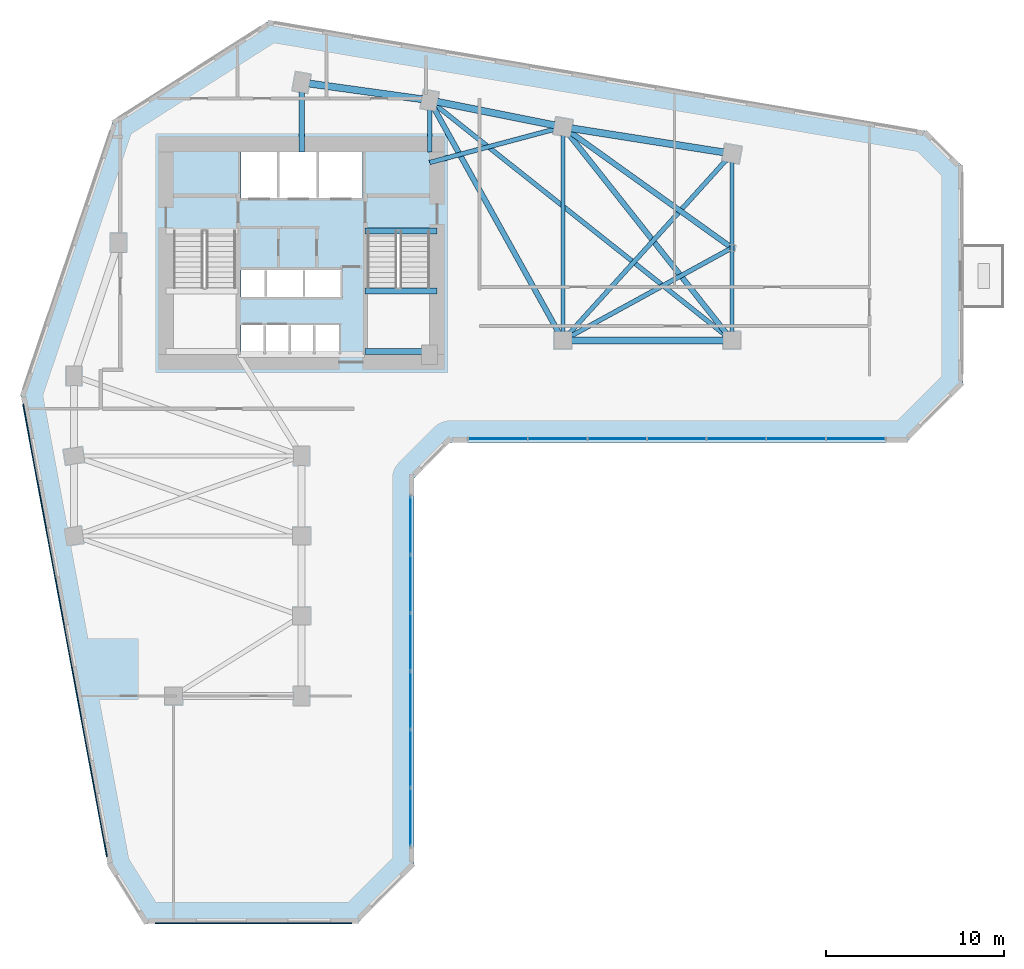
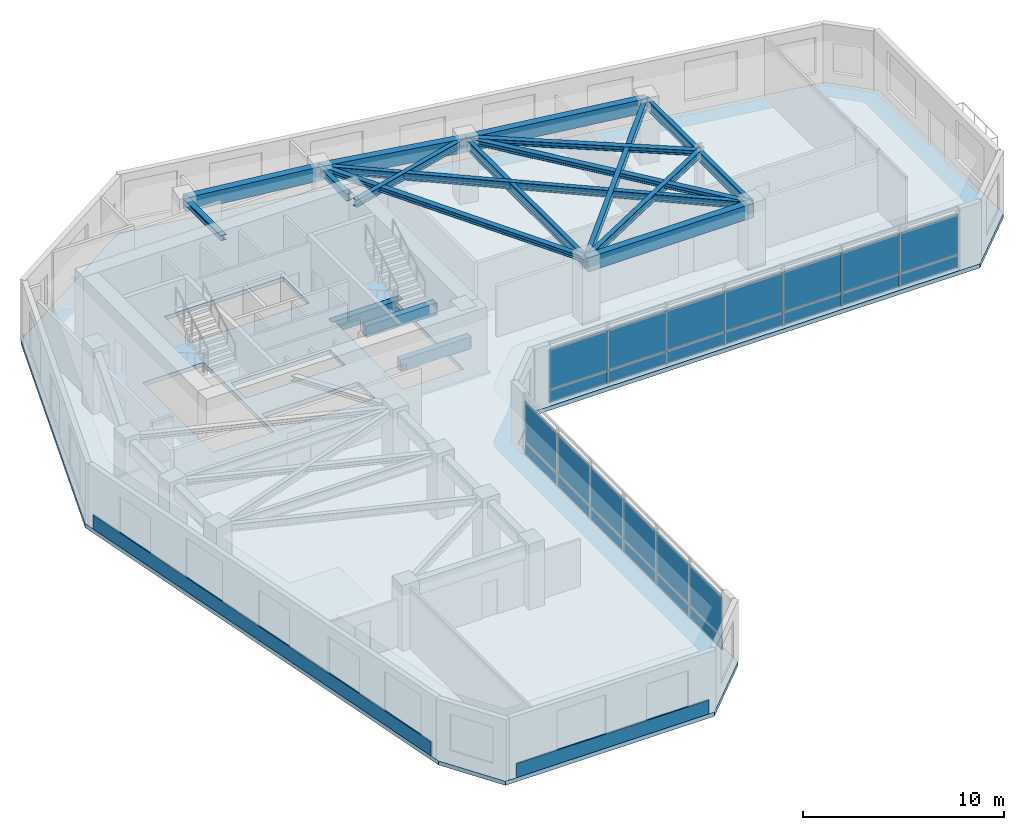
# One storey, part 4 of 11: 28 plates, 18 beams, 1 slab, 2 elements without a shape of their own.
"""IFC4 building model written with IfcOpenShell, lengths in metres."""

import ifcopenshell
import ifcopenshell.guid

model = None  # the IFC model being written
_history = None  # IfcOwnerHistory: only IFC2X3 demands one
_inside = {}  # id of a spatial element -> (the spatial element, [elements in it])
_under = {}  # id of a project, library or spatial element -> (it, [spatial elements below it])
_declared = {}  # id of a project -> (the project, [libraries it declares])
_typed = {}  # id of a type object -> (the type object, [elements of that type])
_made_of = {}  # id of a material, layer set ... -> (it, [elements and type objects made of it])


def new_model(schema):
    """Start an empty IFC model of exactly this schema.

    Asked for "IFC4X3", IfcOpenShell would pick the latest addendum, in which some entities
    have other attributes; the version numbers below select the first issue.
    IFC2X3 requires an IfcOwnerHistory on every rooted entity: one is made here for all.
    """
    global model, _history
    if schema == "IFC4X3":
        model = ifcopenshell.file(schema_version=(4, 3, 0, 0))
    else:
        model = ifcopenshell.file(schema=schema)
    _inside.clear()
    _under.clear()
    _declared.clear()
    _typed.clear()
    _made_of.clear()
    _history = None
    if model.schema == "IFC2X3":
        org = make("IfcOrganization", Name="unknown")
        user = make(
            "IfcPersonAndOrganization",
            ThePerson=make("IfcPerson", FamilyName="unknown"),
            TheOrganization=org,
        )
        app = make(
            "IfcApplication",
            ApplicationDeveloper=org,
            Version="unknown",
            ApplicationFullName="unknown",
            ApplicationIdentifier="unknown",
        )
        _history = make(
            "IfcOwnerHistory",
            OwningUser=user,
            OwningApplication=app,
            ChangeAction="ADDED",
            CreationDate=0,
        )
    return model


def make(cls, **values):
    """One entity of the class cls with the attributes given. An attribute that is None is left unset."""
    return model.create_entity(
        cls, **{name: value for name, value in values.items() if value is not None}
    )


def rooted(cls, **values):
    """An entity with a GlobalId (a new one), such as an element, a storey or a relation."""
    return make(cls, GlobalId=ifcopenshell.guid.new(), OwnerHistory=_history, **values)


def si_unit(unit_type, name, prefix=None):
    """IfcSIUnit, for example si_unit("LENGTHUNIT", "METRE", prefix="MILLI")."""
    return make("IfcSIUnit", UnitType=unit_type, Prefix=prefix, Name=name)


def assignment(units):
    """IfcUnitAssignment: the units of a project."""
    return None if units is None else make("IfcUnitAssignment", Units=units)


def point(xyz):
    """IfcCartesianPoint."""
    return None if xyz is None else make("IfcCartesianPoint", Coordinates=xyz)


def direction(xyz):
    """IfcDirection."""
    return None if xyz is None else make("IfcDirection", DirectionRatios=xyz)


def frame(location, z_axis=None, x_axis=None):
    """IfcAxis2Placement3D, a coordinate frame: its origin and axes. An axis left out is left unset."""
    return make(
        "IfcAxis2Placement3D",
        Location=point(location),
        Axis=direction(z_axis),
        RefDirection=direction(x_axis),
    )


def frame_2d(location, x_axis=None):
    """IfcAxis2Placement2D, a coordinate frame in the plane: its origin and x axis."""
    return make(
        "IfcAxis2Placement2D", Location=point(location), RefDirection=direction(x_axis)
    )


def origin():
    """The frame at (0, 0, 0) with its axes left unset."""
    return frame((0.0, 0.0, 0.0))


def origin_2d():
    """The frame at (0, 0) in the plane with its x axis left unset."""
    return frame_2d((0.0, 0.0))


def place(relative_to, where):
    """IfcLocalPlacement: puts the frame where relative to a parent placement (None: the world)."""
    return make(
        "IfcLocalPlacement", PlacementRelTo=relative_to, RelativePlacement=where
    )


def context(
    kind, dimensions, precision=None, world=None, true_north=None, identifier=None
):
    """IfcGeometricRepresentationContext, for example the 3D "Model" context."""
    return make(
        "IfcGeometricRepresentationContext",
        ContextIdentifier=identifier,
        ContextType=kind,
        CoordinateSpaceDimension=dimensions,
        Precision=precision,
        WorldCoordinateSystem=world,
        TrueNorth=true_north,
    )


def subcontext(parent, identifier, kind, view, scale=None):
    """IfcGeometricRepresentationSubContext, for example "Body" below "Model"."""
    return make(
        "IfcGeometricRepresentationSubContext",
        ContextIdentifier=identifier,
        ContextType=kind,
        ParentContext=parent,
        TargetScale=scale,
        TargetView=view,
    )


def project(units=None, contexts=None):
    """IfcProject with its units and contexts."""
    return rooted(
        "IfcProject",
        Name="project",
        RepresentationContexts=contexts,
        UnitsInContext=assignment(units),
    )


def spatial(cls, under=None, at=None, **own):
    """A site, building, storey or space (cls), placed at a placement, below another one or the project."""
    s = rooted(cls, ObjectPlacement=at, **own)
    if under is not None:
        _under.setdefault(under.id(), (under, []))[1].append(s)
    return s


def polyline(points):
    """IfcPolyline through the points."""
    return make("IfcPolyline", Points=[point(p) for p in points])


def profile(cls, at=None, kind="AREA", **sizes):
    """A parametric profile (cls). Its sizes go by their IFC names, for example OverallWidth=200.0."""
    return make(cls, ProfileType=kind, Position=at, **sizes)


def rectangle(**sizes):
    """IfcRectangleProfileDef."""
    return profile("IfcRectangleProfileDef", **sizes)


def i_section(**sizes):
    """IfcIShapeProfileDef."""
    return profile("IfcIShapeProfileDef", **sizes)


def outline(outer, holes=None, kind="AREA"):
    """IfcArbitraryClosedProfileDef: a profile drawn as a closed curve; with holes, ...WithVoids."""
    if holes is None:
        return make("IfcArbitraryClosedProfileDef", ProfileType=kind, OuterCurve=outer)
    return make(
        "IfcArbitraryProfileDefWithVoids",
        ProfileType=kind,
        OuterCurve=outer,
        InnerCurves=holes,
    )


def extrude(swept, where, along, depth):
    """IfcExtrudedAreaSolid: the profile swept, set in the frame where, extruded along a direction by depth."""
    return make(
        "IfcExtrudedAreaSolid",
        SweptArea=swept,
        Position=where,
        ExtrudedDirection=direction(along),
        Depth=depth,
    )


def shape(context_of_items, identifier, shape_type, items):
    """IfcShapeRepresentation: the items that make up one representation, for example the "Body"."""
    return make(
        "IfcShapeRepresentation",
        ContextOfItems=context_of_items,
        RepresentationIdentifier=identifier,
        RepresentationType=shape_type,
        Items=items,
    )


def source(mapping_origin, context_of_items, identifier, shape_type, items):
    """IfcRepresentationMap: a shape defined once, which mapped items show again and again."""
    return make(
        "IfcRepresentationMap",
        MappingOrigin=mapping_origin,
        MappedRepresentation=shape(context_of_items, identifier, shape_type, items),
    )


def transform(
    local_origin,
    x_axis=None,
    y_axis=None,
    z_axis=None,
    scale=None,
    scale2=None,
    scale3=None,
    uniform=True,
):
    """IfcCartesianTransformationOperator3D, or its non-uniform kind. x_axis, y_axis, z_axis: its Axis1, 2, 3."""
    if uniform:
        return make(
            "IfcCartesianTransformationOperator3D",
            Axis1=direction(x_axis),
            Axis2=direction(y_axis),
            LocalOrigin=point(local_origin),
            Scale=scale,
            Axis3=direction(z_axis),
        )
    return make(
        "IfcCartesianTransformationOperator3DnonUniform",
        Axis1=direction(x_axis),
        Axis2=direction(y_axis),
        LocalOrigin=point(local_origin),
        Scale=scale,
        Axis3=direction(z_axis),
        Scale2=scale2,
        Scale3=scale3,
    )


def mapped(mapping_source, mapping_target):
    """IfcMappedItem: shows the shape of a source again, moved by a transform."""
    return make(
        "IfcMappedItem", MappingSource=mapping_source, MappingTarget=mapping_target
    )


def material(Name=None, Category=None):
    """IfcMaterial."""
    return make("IfcMaterial", Name=Name, Category=Category)


def layer(
    of_material, thickness, ventilated=None, Name=None, Category=None, Priority=None
):
    """IfcMaterialLayer: one layer of a wall or slab, of a material (None: an air gap)."""
    return make(
        "IfcMaterialLayer",
        Material=of_material,
        LayerThickness=thickness,
        IsVentilated=ventilated,
        Name=Name,
        Category=Category,
        Priority=Priority,
    )


def layer_set(layers, Name=None):
    """IfcMaterialLayerSet."""
    return make("IfcMaterialLayerSet", MaterialLayers=layers, LayerSetName=Name)


def material_profile(
    of_material, cross_section, Name=None, Category=None, Priority=None
):
    """IfcMaterialProfile: a cross section and its material."""
    return make(
        "IfcMaterialProfile",
        Name=Name,
        Material=of_material,
        Profile=cross_section,
        Priority=Priority,
        Category=Category,
    )


def profile_set(profiles, Name=None, composite=None):
    """IfcMaterialProfileSet."""
    return make(
        "IfcMaterialProfileSet",
        Name=Name,
        MaterialProfiles=profiles,
        CompositeProfile=composite,
    )


def made_of(thing, what):
    """Note that an element or type object is made of a material, layer set ...; save() writes the relation."""
    if what is not None:
        _made_of.setdefault(what.id(), (what, []))[1].append(thing)
    return thing


def type_object(cls, material=None, **own):
    """A type object (cls), such as IfcWallType, which elements share."""
    return made_of(rooted(cls, **own), material)


def element(
    cls,
    number,
    at=None,
    inside=None,
    cuts=None,
    type_object=None,
    material=None,
    context=None,
    identifier="Body",
    shape_type=None,
    held_by="IfcProductDefinitionShape",
    body=None,
    shapes=None,
    **own,
):
    """One element of the class cls, such as IfcWall. Its Tag is "e" and its number.

    at: its placement. inside: the storey or other place that contains it. cuts: it is an
    opening in that element (IfcRelVoidsElement). A single representation is given by context,
    identifier, shape_type and body (its items); several are given by shapes. held_by: the class
    of the entity that holds the representations. save() writes the other relations.
    """
    e = rooted(cls, Tag="e%d" % number, ObjectPlacement=at, **own)
    if body is not None:
        shapes = [shape(context, identifier, shape_type, body)]
    if shapes is not None:
        e.Representation = make(held_by, Representations=shapes)
    if inside is not None:
        _inside.setdefault(inside.id(), (inside, []))[1].append(e)
    if cuts is not None:
        rooted(
            "IfcRelVoidsElement", RelatingBuildingElement=cuts, RelatedOpeningElement=e
        )
    if type_object is not None:
        _typed.setdefault(type_object.id(), (type_object, []))[1].append(e)
    return made_of(e, material)


def aggregate(whole, parts):
    """IfcRelAggregates: a whole, such as a stair, and the parts it consists of."""
    return rooted("IfcRelAggregates", RelatingObject=whole, RelatedObjects=parts)


def save(model, path):
    """Write the relations noted so far, then the file.

    IfcRelAggregates (storeys below a building ...), IfcRelContainedInSpatialStructure (elements
    in a storey), IfcRelDefinesByType, IfcRelAssociatesMaterial and IfcRelDeclares: one each for
    every whole, place, type object, material and project.
    """
    for whole, parts in _under.values():
        aggregate(whole, parts)
    for where, things in _inside.values():
        rooted(
            "IfcRelContainedInSpatialStructure",
            RelatedElements=things,
            RelatingStructure=where,
        )
    for kind, things in _typed.values():
        rooted("IfcRelDefinesByType", RelatedObjects=things, RelatingType=kind)
    for what, things in _made_of.values():
        rooted("IfcRelAssociatesMaterial", RelatedObjects=things, RelatingMaterial=what)
    for by, libraries in _declared.values():
        rooted("IfcRelDeclares", RelatingContext=by, RelatedDefinitions=libraries)
    model.write(path)


model = new_model("IFC4")

# Units and contexts
model_context = context("Model", 3, precision=1e-05, world=origin(), true_north=direction((0.0, 1.0)))
body_context = subcontext(model_context, "Body", "Model", "MODEL_VIEW")
ifc_project = project(units=[si_unit("LENGTHUNIT", "METRE"), si_unit("AREAUNIT", "SQUARE_METRE"), si_unit("VOLUMEUNIT", "CUBIC_METRE"), si_unit("PLANEANGLEUNIT", "RADIAN"), si_unit("MASSUNIT", "GRAM", prefix="KILO")], contexts=[model_context])

# Site, building, storey
site_placement = place(None, origin())
site = spatial("IfcSite", under=ifc_project, at=site_placement, CompositionType="ELEMENT")
building_placement = place(site_placement, origin())
building = spatial("IfcBuilding", under=site, at=building_placement, Name="Calvemar Wedge Station Tower", CompositionType="ELEMENT")
storey_placement = place(building_placement, frame((0.0, 0.0, 35.0)))
storey = spatial("IfcBuildingStorey", under=building, at=storey_placement, Name="L08", CompositionType="ELEMENT", Elevation=35.0)

# Beams
ifc_material_1 = material(Name="Concrete C70", Category="concrete")
ifc_material_profile_1 = material_profile(ifc_material_1, rectangle(XDim=0.35009765625, YDim=0.699951171875, at=origin_2d()), Name="RC350x700")
ifc_profile_set_1 = profile_set([ifc_material_profile_1], Name="Concrete C70")
beam_type_1 = type_object("IfcBeamType", Name="BM-LN1-700", PredefinedType="LINTEL", material=ifc_profile_set_1)
shared_shape_1 = source(origin(), body_context, "Body", "SweptSolid", [
    extrude(rectangle(XDim=0.35009765625, YDim=0.699951171875, at=origin_2d()), origin(), (0.0, 0.0, 1.0), 4.054931640625),
])
for number, where, z_axis, x_axis, name in (
    (1, (27.3701171875, 41.14990234375, -0.35009765625), (1.0, 0.0, 0.0), (0.0, 1.0, 0.0), "Storey L08 Stair ST-C2 Landing Trimmer Beam"),
    (2, (27.3701171875, 34.3798828125, 1.449951171875), (1.0, 0.0, 0.0), (0.0, 1.0, 0.0), "Storey L08 Stair ST-C2 Half-Landing Beam 1A"),
    (3, (27.3701171875, 37.780029296875, 1.449951171875), (1.0, 0.0, 0.0), (0.0, 1.0, 0.0), "Storey L08 Stair ST-C2 Half-Landing Beam 1B"),
):
    element("IfcBeam", number, at=place(storey_placement, frame(where, z_axis=z_axis, x_axis=x_axis)), inside=storey, type_object=beam_type_1, Name=name, PredefinedType="LINTEL", context=body_context, shape_type="MappedRepresentation", body=[
        mapped(shared_shape_1, transform((0.0, 0.0, 0.0), scale=1.0)),
    ])
ifc_material_2 = material(Name="Concrete C60", Category="concrete")
ifc_material_profile_2 = material_profile(ifc_material_2, rectangle(XDim=0.39990234375, YDim=0.85009765625, at=origin_2d()), Name="RC400x850")
ifc_profile_set_2 = profile_set([ifc_material_profile_2], Name="Concrete C60")
beam_type_2 = type_object("IfcBeamType", Name="BM-SP1-850", PredefinedType="SPANDREL", material=ifc_profile_set_2)
shared_shape_2 = source(origin(), body_context, "Body", "SweptSolid", [
    extrude(rectangle(XDim=0.39990234375, YDim=0.85009765625, at=origin_2d()), origin(), (0.0, 0.0, 1.0), 7.26904296875),
])
beam_1_placement = place(storey_placement, frame((23.800048828125, 49.5, 3.324951171875), z_axis=(0.990492146053, -0.13756928657, 0.0), x_axis=(0.13756928657, 0.990492146053, 0.0)))
element("IfcBeam", 4, at=beam_1_placement, inside=storey, type_object=beam_type_2, Name="Storey L08 Spandrel T-N1-T-N2", PredefinedType="SPANDREL", context=body_context, shape_type="MappedRepresentation", body=[
    mapped(shared_shape_2, transform((0.0, 0.0, 0.0), scale=1.0)),
])
shared_shape_3 = source(origin(), body_context, "Body", "SweptSolid", [
    extrude(rectangle(XDim=0.39990234375, YDim=0.85009765625, at=origin_2d()), origin(), (0.0, 0.0, 1.0), 7.6484375),
])
beam_2_placement = place(storey_placement, frame((31.0, 48.5, 3.324951171875), z_axis=(0.980580675691, -0.196116135138, 0.0), x_axis=(0.196116135138, 0.980580675691, 0.0)))
element("IfcBeam", 5, at=beam_2_placement, inside=storey, type_object=beam_type_2, Name="Storey L08 Spandrel T-N2-T-NU3", PredefinedType="SPANDREL", context=body_context, shape_type="MappedRepresentation", body=[
    mapped(shared_shape_3, transform((0.0, 0.0, 0.0), scale=1.0)),
])
shared_shape_4 = source(origin(), body_context, "Body", "SweptSolid", [
    extrude(rectangle(XDim=0.39990234375, YDim=0.85009765625, at=origin_2d()), origin(), (0.0, 0.0, 1.0), 9.61767578125),
])
beam_3_placement = place(storey_placement, frame((38.5, 47.0, 3.324951171875), z_axis=(0.987762965329, -0.155962573473, 0.0), x_axis=(0.155962573473, 0.987762965329, 0.0)))
element("IfcBeam", 6, at=beam_3_placement, inside=storey, type_object=beam_type_2, Name="Storey L08 Spandrel T-NU3-T-NU4", PredefinedType="SPANDREL", context=body_context, shape_type="MappedRepresentation", body=[
    mapped(shared_shape_4, transform((0.0, 0.0, 0.0), scale=1.0)),
])
shared_shape_5 = source(origin(), body_context, "Body", "SweptSolid", [
    extrude(rectangle(XDim=0.39990234375, YDim=0.85009765625, at=origin_2d()), origin(), (0.0, 0.0, 1.0), 9.5),
])
beam_4_placement = place(storey_placement, frame((38.5, 35.0, 3.324951171875), z_axis=(1.0, 0.0, 0.0), x_axis=(0.0, 1.0, 0.0)))
element("IfcBeam", 7, at=beam_4_placement, inside=storey, type_object=beam_type_2, Name="Storey L08 Spandrel T-NL2-T-NL3", PredefinedType="SPANDREL", context=body_context, shape_type="MappedRepresentation", body=[
    mapped(shared_shape_5, transform((0.0, 0.0, 0.0), scale=1.0)),
])
ifc_material_3 = material(Name="Structural steel ASTM A572 Grade 50", Category="steel")
ifc_material_profile_3 = material_profile(ifc_material_3, i_section(OverallWidth=0.22998046875, OverallDepth=0.616943359375, WebThickness=0.01318359375, FlangeThickness=0.022216796875, FilletRadius=0.012939453125, at=origin_2d()), Name="W610x140")
ifc_profile_set_3 = profile_set([ifc_material_profile_3], Name="Structural steel ASTM A572 Grade 50")
beam_type_3 = type_object("IfcBeamType", Name="BM-SB2-W610", PredefinedType="BEAM", material=ifc_profile_set_3)
shared_shape_6 = source(origin(), body_context, "Body", "SweptSolid", [
    extrude(i_section(OverallWidth=0.22998046875, OverallDepth=0.616943359375, WebThickness=0.01318359375, FlangeThickness=0.022216796875, FilletRadius=0.012939453125, at=origin_2d()), origin(), (0.0, 0.0, 1.0), 12.0),
])
beam_5_placement = place(storey_placement, frame((38.5, 47.0, 3.44140625), z_axis=(0.0, -1.0, 0.0), x_axis=(1.0, 0.0, 0.0)))
element("IfcBeam", 8, at=beam_5_placement, inside=storey, type_object=beam_type_3, Name="Storey L08 Floor Beam T-NU3-T-NL2", PredefinedType="BEAM", context=body_context, shape_type="MappedRepresentation", body=[
    mapped(shared_shape_6, transform((0.0, 0.0, 0.0), scale=1.0)),
])
shared_shape_7 = source(origin(), body_context, "Body", "SweptSolid", [
    extrude(i_section(OverallWidth=0.22998046875, OverallDepth=0.616943359375, WebThickness=0.01318359375, FlangeThickness=0.022216796875, FilletRadius=0.012939453125, at=origin_2d()), origin(), (0.0, 0.0, 1.0), 10.5),
])
beam_6_placement = place(storey_placement, frame((48.0, 45.5, 3.44140625), z_axis=(0.0, -1.0, 0.0), x_axis=(1.0, 0.0, 0.0)))
element("IfcBeam", 9, at=beam_6_placement, inside=storey, type_object=beam_type_3, Name="Storey L08 Floor Beam T-NU4-T-NL3", PredefinedType="BEAM", context=body_context, shape_type="MappedRepresentation", body=[
    mapped(shared_shape_7, transform((0.0, 0.0, 0.0), scale=1.0)),
])
ifc_material_profile_4 = material_profile(ifc_material_3, i_section(OverallWidth=0.304931640625, OverallDepth=0.30810546875, WebThickness=0.010009765625, FlangeThickness=0.015380859375, FilletRadius=0.014892578125, at=origin_2d()), Name="W310x97")
ifc_profile_set_4 = profile_set([ifc_material_profile_4], Name="Structural steel ASTM A572 Grade 50")
beam_type_4 = type_object("IfcBeamType", Name="BM-J6-W310", PredefinedType="JOIST", material=ifc_profile_set_4)
shared_shape_8 = source(origin(), body_context, "Body", "SweptSolid", [
    extrude(i_section(OverallWidth=0.304931640625, OverallDepth=0.30810546875, WebThickness=0.010009765625, FlangeThickness=0.015380859375, FilletRadius=0.014892578125, at=origin_2d()), origin(), (0.0, 0.0, 1.0), 15.443359375),
])
beam_7_placement = place(storey_placement, frame((31.0, 48.5, 3.595947265625), z_axis=(0.485642931179, -0.874157276122, 0.0), x_axis=(0.874157276122, 0.485642931179, 0.0)))
element("IfcBeam", 10, at=beam_7_placement, inside=storey, type_object=beam_type_4, Name="Storey L08 Floor Beam T-N2-T-NL2", PredefinedType="JOIST", context=body_context, shape_type="MappedRepresentation", body=[
    mapped(shared_shape_8, transform((0.0, 0.0, 0.0), scale=1.0)),
])
ifc_material_profile_5 = material_profile(ifc_material_3, i_section(OverallWidth=0.260986328125, OverallDepth=0.419921875, WebThickness=0.01171875, FlangeThickness=0.019287109375, FilletRadius=0.012939453125, at=origin_2d()), Name="W410x114")
ifc_profile_set_5 = profile_set([ifc_material_profile_5], Name="Structural steel ASTM A572 Grade 50")
beam_type_5 = type_object("IfcBeamType", Name="BM-J2-W410H", PredefinedType="JOIST", material=ifc_profile_set_5)
shared_shape_9 = source(origin(), body_context, "Body", "SweptSolid", [
    extrude(i_section(OverallWidth=0.260986328125, OverallDepth=0.419921875, WebThickness=0.01171875, FlangeThickness=0.019287109375, FilletRadius=0.012939453125, at=origin_2d()), origin(), (0.0, 0.0, 1.0), 21.708251953125),
])
beam_8_placement = place(storey_placement, frame((31.0, 48.5, 3.5400390625), z_axis=(0.783110847498, -0.621882143602, 0.0), x_axis=(0.621882143602, 0.783110847498, 0.0)))
element("IfcBeam", 11, at=beam_8_placement, inside=storey, type_object=beam_type_5, Name="Storey L08 Floor Beam T-N2-T-NL3", PredefinedType="JOIST", context=body_context, shape_type="MappedRepresentation", body=[
    mapped(shared_shape_9, transform((0.0, 0.0, 0.0), scale=1.0)),
])
shared_shape_10 = source(origin(), body_context, "Body", "SweptSolid", [
    extrude(i_section(OverallWidth=0.304931640625, OverallDepth=0.30810546875, WebThickness=0.010009765625, FlangeThickness=0.015380859375, FilletRadius=0.014892578125, at=origin_2d()), origin(), (0.0, 0.0, 1.0), 15.30517578125),
])
beam_9_placement = place(storey_placement, frame((38.5, 47.0, 3.595947265625), z_axis=(0.620702944366, -0.784045824462, 0.0), x_axis=(0.784045824462, 0.620702944366, 0.0)))
element("IfcBeam", 12, at=beam_9_placement, inside=storey, type_object=beam_type_4, Name="Storey L08 Floor Beam T-NU3-T-NL3", PredefinedType="JOIST", context=body_context, shape_type="MappedRepresentation", body=[
    mapped(shared_shape_10, transform((0.0, 0.0, 0.0), scale=1.0)),
])
shared_shape_11 = source(origin(), body_context, "Body", "SweptSolid", [
    extrude(i_section(OverallWidth=0.260986328125, OverallDepth=0.419921875, WebThickness=0.01171875, FlangeThickness=0.019287109375, FilletRadius=0.012939453125, at=origin_2d()), origin(), (0.0, 0.0, 1.0), 14.159912109375),
])
beam_10_placement = place(storey_placement, frame((38.5, 35.0, 3.5400390625), z_axis=(0.670913323969, 0.741535779124, 0.0), x_axis=(-0.741535779124, 0.670913323969, 0.0)))
element("IfcBeam", 13, at=beam_10_placement, inside=storey, type_object=beam_type_5, Name="Storey L08 Floor Beam T-NL2-T-NU4", PredefinedType="JOIST", context=body_context, shape_type="MappedRepresentation", body=[
    mapped(shared_shape_11, transform((0.0, 0.0, 0.0), scale=1.0)),
])
shared_shape_12 = source(origin(), body_context, "Body", "SweptSolid", [
    extrude(i_section(OverallWidth=0.304931640625, OverallDepth=0.30810546875, WebThickness=0.010009765625, FlangeThickness=0.015380859375, FilletRadius=0.014892578125, at=origin_2d()), origin(), (0.0, 0.0, 1.0), 11.682861328125),
])
beam_11_placement = place(storey_placement, frame((48.0, 40.199951171875, 3.595947265625), z_axis=(-0.81315274409, 0.582050354161, 0.0), x_axis=(-0.582050354161, -0.81315274409, 0.0)))
element("IfcBeam", 14, at=beam_11_placement, inside=storey, type_object=beam_type_4, Name="Storey L08 Floor Beam T-NTIP-A-T-NU3", PredefinedType="JOIST", context=body_context, shape_type="MappedRepresentation", body=[
    mapped(shared_shape_12, transform((0.0, 0.0, 0.0), scale=1.0)),
])
shared_shape_13 = source(origin(), body_context, "Body", "SweptSolid", [
    extrude(i_section(OverallWidth=0.260986328125, OverallDepth=0.419921875, WebThickness=0.01171875, FlangeThickness=0.019287109375, FilletRadius=0.012939453125, at=origin_2d()), origin(), (0.0, 0.0, 1.0), 10.830078125),
])
beam_12_placement = place(storey_placement, frame((48.0, 40.199951171875, 3.5400390625), z_axis=(-0.877190767997, -0.480142017053, 0.0), x_axis=(0.480142017053, -0.877190767997, 0.0)))
element("IfcBeam", 15, at=beam_12_placement, inside=storey, type_object=beam_type_5, Name="Storey L08 Floor Beam T-NTIP-A-T-NL2", PredefinedType="JOIST", context=body_context, shape_type="MappedRepresentation", body=[
    mapped(shared_shape_13, transform((0.0, 0.0, 0.0), scale=1.0)),
])
shared_shape_14 = source(origin(), body_context, "Body", "SweptSolid", [
    extrude(i_section(OverallWidth=0.260986328125, OverallDepth=0.419921875, WebThickness=0.01171875, FlangeThickness=0.019287109375, FilletRadius=0.012939453125, at=origin_2d()), origin(), (0.0, 0.0, 1.0), 7.76220703125),
])
beam_13_placement = place(storey_placement, frame((31.0, 45.0, 3.5400390625), z_axis=(0.966234939601, 0.25766265056, 0.0), x_axis=(-0.25766265056, 0.966234939601, 0.0)))
element("IfcBeam", 16, at=beam_13_placement, inside=storey, type_object=beam_type_5, Name="Storey L08 Core-to-Column Joist CJ-E2", PredefinedType="JOIST", context=body_context, shape_type="MappedRepresentation", body=[
    mapped(shared_shape_14, transform((0.0, 0.0, 0.0), scale=1.0)),
])
shared_shape_15 = source(origin(), body_context, "Body", "SweptSolid", [
    extrude(i_section(OverallWidth=0.304931640625, OverallDepth=0.30810546875, WebThickness=0.010009765625, FlangeThickness=0.015380859375, FilletRadius=0.014892578125, at=origin_2d()), origin(), (0.0, 0.0, 1.0), 3.89990234375),
])
beam_14_placement = place(storey_placement, frame((23.800048828125, 45.60009765625, 3.595947265625), z_axis=(0.0, 1.0, 0.0), x_axis=(-1.0, 0.0, 0.0)))
element("IfcBeam", 17, at=beam_14_placement, inside=storey, type_object=beam_type_4, Name="Storey L08 Core-to-Column Joist CJ-N1", PredefinedType="JOIST", context=body_context, shape_type="MappedRepresentation", body=[
    mapped(shared_shape_15, transform((0.0, 0.0, 0.0), scale=1.0)),
])
shared_shape_16 = source(origin(), body_context, "Body", "SweptSolid", [
    extrude(i_section(OverallWidth=0.260986328125, OverallDepth=0.419921875, WebThickness=0.01171875, FlangeThickness=0.019287109375, FilletRadius=0.012939453125, at=origin_2d()), origin(), (0.0, 0.0, 1.0), 2.89990234375),
])
beam_15_placement = place(storey_placement, frame((31.0, 45.60009765625, 3.5400390625), z_axis=(0.0, 1.0, 0.0), x_axis=(-1.0, 0.0, 0.0)))
element("IfcBeam", 18, at=beam_15_placement, inside=storey, type_object=beam_type_5, Name="Storey L08 Core-to-Column Joist CJ-N2", PredefinedType="JOIST", context=body_context, shape_type="MappedRepresentation", body=[
    mapped(shared_shape_16, transform((0.0, 0.0, 0.0), scale=1.0)),
])

# Curtain wall, plates
ifc_material_4 = material(Name="Anodised aluminium 6063-T6", Category="aluminium")
curtain_wall_type = type_object("IfcCurtainWallType", Name="CW1", PredefinedType="NOTDEFINED", material=ifc_material_4)
curtain_wall_1_placement = place(storey_placement, origin())
curtain_wall_1 = element("IfcCurtainWall", 19, at=curtain_wall_1_placement, inside=storey, type_object=curtain_wall_type, Name="Storey L08 CW1 Recessed Unitised Curtain Wall 4", PredefinedType="NOTDEFINED")
ifc_material_5 = material(Name="Low-E laminated insulated glass", Category="glass")
ifc_layer_1 = layer(ifc_material_5, 0.028076171875)
ifc_layer_set_1 = layer_set([ifc_layer_1], Name="Low-E laminated insulated glass")
plate_type_1 = type_object("IfcPlateType", Name="CW1-GLZ", PredefinedType="CURTAIN_PANEL", material=ifc_layer_set_1)
plate_1_placement = place(storey_placement, frame((29.91796875, 6.580078125, 0.8701171875), z_axis=(0.0, 0.0, 1.0), x_axis=(0.0, 1.0, 0.0)))
plate_1 = element("IfcPlate", 20, at=plate_1_placement, type_object=plate_type_1, Name="CW1 vision glass panel 1", PredefinedType="CURTAIN_PANEL", context=body_context, shape_type="SweptSolid", body=[
    extrude(rectangle(XDim=3.24072265625, YDim=0.028076171875, at=frame_2d((1.620361328125, 0.0))), origin(), (0.0, 0.0, 1.0), 2.409912109375),
])
plate_2_placement = place(storey_placement, frame((29.91796875, 9.856689453125, 0.8701171875), z_axis=(0.0, 0.0, 1.0), x_axis=(0.0, 1.0, 0.0)))
plate_2 = element("IfcPlate", 21, at=plate_2_placement, type_object=plate_type_1, Name="CW1 vision glass panel 2", PredefinedType="CURTAIN_PANEL", context=body_context, shape_type="SweptSolid", body=[
    extrude(rectangle(XDim=3.24072265625, YDim=0.028076171875, at=frame_2d((1.620361328125, 0.0))), origin(), (0.0, 0.0, 1.0), 2.409912109375),
])
plate_3_placement = place(storey_placement, frame((29.91796875, 13.13330078125, 0.8701171875), z_axis=(0.0, 0.0, 1.0), x_axis=(0.0, 1.0, 0.0)))
plate_3 = element("IfcPlate", 22, at=plate_3_placement, type_object=plate_type_1, Name="CW1 vision glass panel 3", PredefinedType="CURTAIN_PANEL", context=body_context, shape_type="SweptSolid", body=[
    extrude(rectangle(XDim=3.24072265625, YDim=0.028076171875, at=frame_2d((1.620361328125, 0.0))), origin(), (0.0, 0.0, 1.0), 2.409912109375),
])
plate_4_placement = place(storey_placement, frame((29.91796875, 16.41015625, 0.8701171875), z_axis=(0.0, 0.0, 1.0), x_axis=(0.0, 1.0, 0.0)))
plate_4 = element("IfcPlate", 23, at=plate_4_placement, type_object=plate_type_1, Name="CW1 vision glass panel 4", PredefinedType="CURTAIN_PANEL", context=body_context, shape_type="SweptSolid", body=[
    extrude(rectangle(XDim=3.24072265625, YDim=0.028076171875, at=frame_2d((1.620361328125, 0.0))), origin(), (0.0, 0.0, 1.0), 2.409912109375),
])
plate_5_placement = place(storey_placement, frame((29.91796875, 19.686767578125, 0.8701171875), z_axis=(0.0, 0.0, 1.0), x_axis=(0.0, 1.0, 0.0)))
plate_5 = element("IfcPlate", 24, at=plate_5_placement, type_object=plate_type_1, Name="CW1 vision glass panel 5", PredefinedType="CURTAIN_PANEL", context=body_context, shape_type="SweptSolid", body=[
    extrude(rectangle(XDim=3.24072265625, YDim=0.028076171875, at=frame_2d((1.620361328125, 0.0))), origin(), (0.0, 0.0, 1.0), 2.409912109375),
])
plate_6_placement = place(storey_placement, frame((29.91796875, 22.96337890625, 0.8701171875), z_axis=(0.0, 0.0, 1.0), x_axis=(0.0, 1.0, 0.0)))
plate_6 = element("IfcPlate", 25, at=plate_6_placement, type_object=plate_type_1, Name="CW1 vision glass panel 6", PredefinedType="CURTAIN_PANEL", context=body_context, shape_type="SweptSolid", body=[
    extrude(rectangle(XDim=3.24072265625, YDim=0.028076171875, at=frame_2d((1.620361328125, 0.0))), origin(), (0.0, 0.0, 1.0), 2.409912109375),
])

curtain_wall_2_placement = place(storey_placement, origin())
curtain_wall_2 = element("IfcCurtainWall", 26, at=curtain_wall_2_placement, inside=storey, type_object=curtain_wall_type, Name="Storey L08 CW1 Recessed Unitised Curtain Wall 6", PredefinedType="NOTDEFINED")
plate_7_placement = place(storey_placement, frame((33.183837890625, 29.469970703125, 0.8701171875), z_axis=(0.0, 0.0, 1.0), x_axis=(1.0, 0.0, 0.0)))
plate_7 = element("IfcPlate", 27, at=plate_7_placement, type_object=plate_type_1, Name="CW1 vision glass panel 1", PredefinedType="CURTAIN_PANEL", context=body_context, shape_type="SweptSolid", body=[
    extrude(rectangle(XDim=3.317138671875, YDim=0.028076171875, at=frame_2d((1.65869140625, 0.0))), origin(), (0.0, 0.0, 1.0), 2.409912109375),
])
plate_8_placement = place(storey_placement, frame((36.537109375, 29.469970703125, 0.8701171875), z_axis=(0.0, 0.0, 1.0), x_axis=(1.0, 0.0, 0.0)))
plate_8 = element("IfcPlate", 28, at=plate_8_placement, type_object=plate_type_1, Name="CW1 vision glass panel 2", PredefinedType="CURTAIN_PANEL", context=body_context, shape_type="SweptSolid", body=[
    extrude(rectangle(XDim=3.317138671875, YDim=0.028076171875, at=frame_2d((1.65869140625, 0.0))), origin(), (0.0, 0.0, 1.0), 2.409912109375),
])
plate_9_placement = place(storey_placement, frame((39.89013671875, 29.469970703125, 0.8701171875), z_axis=(0.0, 0.0, 1.0), x_axis=(1.0, 0.0, 0.0)))
plate_9 = element("IfcPlate", 29, at=plate_9_placement, type_object=plate_type_1, Name="CW1 vision glass panel 3", PredefinedType="CURTAIN_PANEL", context=body_context, shape_type="SweptSolid", body=[
    extrude(rectangle(XDim=3.317138671875, YDim=0.028076171875, at=frame_2d((1.65869140625, 0.0))), origin(), (0.0, 0.0, 1.0), 2.409912109375),
])
plate_10_placement = place(storey_placement, frame((43.243408203125, 29.469970703125, 0.8701171875), z_axis=(0.0, 0.0, 1.0), x_axis=(1.0, 0.0, 0.0)))
plate_10 = element("IfcPlate", 30, at=plate_10_placement, type_object=plate_type_1, Name="CW1 vision glass panel 4", PredefinedType="CURTAIN_PANEL", context=body_context, shape_type="SweptSolid", body=[
    extrude(rectangle(XDim=3.317138671875, YDim=0.028076171875, at=frame_2d((1.65869140625, 0.0))), origin(), (0.0, 0.0, 1.0), 2.409912109375),
])
plate_11_placement = place(storey_placement, frame((46.596435546875, 29.469970703125, 0.8701171875), z_axis=(0.0, 0.0, 1.0), x_axis=(1.0, 0.0, 0.0)))
plate_11 = element("IfcPlate", 31, at=plate_11_placement, type_object=plate_type_1, Name="CW1 vision glass panel 5", PredefinedType="CURTAIN_PANEL", context=body_context, shape_type="SweptSolid", body=[
    extrude(rectangle(XDim=3.317138671875, YDim=0.028076171875, at=frame_2d((1.65869140625, 0.0))), origin(), (0.0, 0.0, 1.0), 2.409912109375),
])
plate_12_placement = place(storey_placement, frame((49.94970703125, 29.469970703125, 0.8701171875), z_axis=(0.0, 0.0, 1.0), x_axis=(1.0, 0.0, 0.0)))
plate_12 = element("IfcPlate", 32, at=plate_12_placement, type_object=plate_type_1, Name="CW1 vision glass panel 6", PredefinedType="CURTAIN_PANEL", context=body_context, shape_type="SweptSolid", body=[
    extrude(rectangle(XDim=3.317138671875, YDim=0.028076171875, at=frame_2d((1.65869140625, 0.0))), origin(), (0.0, 0.0, 1.0), 2.409912109375),
])
plate_13_placement = place(storey_placement, frame((53.302734375, 29.469970703125, 0.8701171875), z_axis=(0.0, 0.0, 1.0), x_axis=(1.0, 0.0, 0.0)))
plate_13 = element("IfcPlate", 33, at=plate_13_placement, type_object=plate_type_1, Name="CW1 vision glass panel 7", PredefinedType="CURTAIN_PANEL", context=body_context, shape_type="SweptSolid", body=[
    extrude(rectangle(XDim=3.317138671875, YDim=0.028076171875, at=frame_2d((1.65869140625, 0.0))), origin(), (0.0, 0.0, 1.0), 2.409912109375),
])

# Plate
ifc_material_6 = material(Name="Oxidized bronze aluminium spandrel panel 5005-H24", Category="aluminium")
ifc_layer_2 = layer(ifc_material_6, 0.0400390625)
ifc_layer_set_2 = layer_set([ifc_layer_2], Name="Oxidized bronze aluminium spandrel panel 5005-H24")
plate_type_2 = type_object("IfcPlateType", Name="CW1-SPD", PredefinedType="SHEET", material=ifc_layer_set_2)
plate_14_placement = place(storey_placement, frame((29.91796875, 6.580078125, 0.080078125), z_axis=(0.0, 0.0, 1.0), x_axis=(0.0, 1.0, 0.0)))
plate_14 = element("IfcPlate", 34, at=plate_14_placement, type_object=plate_type_2, Name="CW1 bronze spandrel panel 1", PredefinedType="SHEET", context=body_context, shape_type="SweptSolid", body=[
    extrude(rectangle(XDim=3.24072265625, YDim=0.0400390625, at=frame_2d((1.620361328125, 0.0))), origin(), (0.0, 0.0, 1.0), 0.75),
])

plate_15_placement = place(storey_placement, frame((29.91796875, 9.856689453125, 0.080078125), z_axis=(0.0, 0.0, 1.0), x_axis=(0.0, 1.0, 0.0)))
plate_15 = element("IfcPlate", 35, at=plate_15_placement, type_object=plate_type_2, Name="CW1 bronze spandrel panel 2", PredefinedType="SHEET", context=body_context, shape_type="SweptSolid", body=[
    extrude(rectangle(XDim=3.24072265625, YDim=0.0400390625, at=frame_2d((1.620361328125, 0.0))), origin(), (0.0, 0.0, 1.0), 0.75),
])

plate_16_placement = place(storey_placement, frame((29.91796875, 13.13330078125, 0.080078125), z_axis=(0.0, 0.0, 1.0), x_axis=(0.0, 1.0, 0.0)))
plate_16 = element("IfcPlate", 36, at=plate_16_placement, type_object=plate_type_2, Name="CW1 bronze spandrel panel 3", PredefinedType="SHEET", context=body_context, shape_type="SweptSolid", body=[
    extrude(rectangle(XDim=3.24072265625, YDim=0.0400390625, at=frame_2d((1.620361328125, 0.0))), origin(), (0.0, 0.0, 1.0), 0.75),
])

plate_17_placement = place(storey_placement, frame((29.91796875, 16.41015625, 0.080078125), z_axis=(0.0, 0.0, 1.0), x_axis=(0.0, 1.0, 0.0)))
plate_17 = element("IfcPlate", 37, at=plate_17_placement, type_object=plate_type_2, Name="CW1 bronze spandrel panel 4", PredefinedType="SHEET", context=body_context, shape_type="SweptSolid", body=[
    extrude(rectangle(XDim=3.24072265625, YDim=0.0400390625, at=frame_2d((1.620361328125, 0.0))), origin(), (0.0, 0.0, 1.0), 0.75),
])

plate_18_placement = place(storey_placement, frame((29.91796875, 19.686767578125, 0.080078125), z_axis=(0.0, 0.0, 1.0), x_axis=(0.0, 1.0, 0.0)))
plate_18 = element("IfcPlate", 38, at=plate_18_placement, type_object=plate_type_2, Name="CW1 bronze spandrel panel 5", PredefinedType="SHEET", context=body_context, shape_type="SweptSolid", body=[
    extrude(rectangle(XDim=3.24072265625, YDim=0.0400390625, at=frame_2d((1.620361328125, 0.0))), origin(), (0.0, 0.0, 1.0), 0.75),
])

plate_19_placement = place(storey_placement, frame((29.91796875, 22.96337890625, 0.080078125), z_axis=(0.0, 0.0, 1.0), x_axis=(0.0, 1.0, 0.0)))
plate_19 = element("IfcPlate", 39, at=plate_19_placement, type_object=plate_type_2, Name="CW1 bronze spandrel panel 6", PredefinedType="SHEET", context=body_context, shape_type="SweptSolid", body=[
    extrude(rectangle(XDim=3.24072265625, YDim=0.0400390625, at=frame_2d((1.620361328125, 0.0))), origin(), (0.0, 0.0, 1.0), 0.75),
])

aggregate(curtain_wall_1, [plate_14, plate_1, plate_15, plate_2, plate_16, plate_3, plate_17, plate_4, plate_18, plate_5, plate_19, plate_6])

plate_20_placement = place(storey_placement, frame((33.183837890625, 29.469970703125, 0.080078125), z_axis=(0.0, 0.0, 1.0), x_axis=(1.0, 0.0, 0.0)))
plate_20 = element("IfcPlate", 40, at=plate_20_placement, type_object=plate_type_2, Name="CW1 bronze spandrel panel 1", PredefinedType="SHEET", context=body_context, shape_type="SweptSolid", body=[
    extrude(rectangle(XDim=3.317138671875, YDim=0.0400390625, at=frame_2d((1.65869140625, 0.0))), origin(), (0.0, 0.0, 1.0), 0.75),
])

plate_21_placement = place(storey_placement, frame((36.537109375, 29.469970703125, 0.080078125), z_axis=(0.0, 0.0, 1.0), x_axis=(1.0, 0.0, 0.0)))
plate_21 = element("IfcPlate", 41, at=plate_21_placement, type_object=plate_type_2, Name="CW1 bronze spandrel panel 2", PredefinedType="SHEET", context=body_context, shape_type="SweptSolid", body=[
    extrude(rectangle(XDim=3.317138671875, YDim=0.0400390625, at=frame_2d((1.65869140625, 0.0))), origin(), (0.0, 0.0, 1.0), 0.75),
])

plate_22_placement = place(storey_placement, frame((39.89013671875, 29.469970703125, 0.080078125), z_axis=(0.0, 0.0, 1.0), x_axis=(1.0, 0.0, 0.0)))
plate_22 = element("IfcPlate", 42, at=plate_22_placement, type_object=plate_type_2, Name="CW1 bronze spandrel panel 3", PredefinedType="SHEET", context=body_context, shape_type="SweptSolid", body=[
    extrude(rectangle(XDim=3.317138671875, YDim=0.0400390625, at=frame_2d((1.65869140625, 0.0))), origin(), (0.0, 0.0, 1.0), 0.75),
])

plate_23_placement = place(storey_placement, frame((43.243408203125, 29.469970703125, 0.080078125), z_axis=(0.0, 0.0, 1.0), x_axis=(1.0, 0.0, 0.0)))
plate_23 = element("IfcPlate", 43, at=plate_23_placement, type_object=plate_type_2, Name="CW1 bronze spandrel panel 4", PredefinedType="SHEET", context=body_context, shape_type="SweptSolid", body=[
    extrude(rectangle(XDim=3.317138671875, YDim=0.0400390625, at=frame_2d((1.65869140625, 0.0))), origin(), (0.0, 0.0, 1.0), 0.75),
])

plate_24_placement = place(storey_placement, frame((46.596435546875, 29.469970703125, 0.080078125), z_axis=(0.0, 0.0, 1.0), x_axis=(1.0, 0.0, 0.0)))
plate_24 = element("IfcPlate", 44, at=plate_24_placement, type_object=plate_type_2, Name="CW1 bronze spandrel panel 5", PredefinedType="SHEET", context=body_context, shape_type="SweptSolid", body=[
    extrude(rectangle(XDim=3.317138671875, YDim=0.0400390625, at=frame_2d((1.65869140625, 0.0))), origin(), (0.0, 0.0, 1.0), 0.75),
])

plate_25_placement = place(storey_placement, frame((49.94970703125, 29.469970703125, 0.080078125), z_axis=(0.0, 0.0, 1.0), x_axis=(1.0, 0.0, 0.0)))
plate_25 = element("IfcPlate", 45, at=plate_25_placement, type_object=plate_type_2, Name="CW1 bronze spandrel panel 6", PredefinedType="SHEET", context=body_context, shape_type="SweptSolid", body=[
    extrude(rectangle(XDim=3.317138671875, YDim=0.0400390625, at=frame_2d((1.65869140625, 0.0))), origin(), (0.0, 0.0, 1.0), 0.75),
])

plate_26_placement = place(storey_placement, frame((53.302734375, 29.469970703125, 0.080078125), z_axis=(0.0, 0.0, 1.0), x_axis=(1.0, 0.0, 0.0)))
plate_26 = element("IfcPlate", 46, at=plate_26_placement, type_object=plate_type_2, Name="CW1 bronze spandrel panel 7", PredefinedType="SHEET", context=body_context, shape_type="SweptSolid", body=[
    extrude(rectangle(XDim=3.317138671875, YDim=0.0400390625, at=frame_2d((1.65869140625, 0.0))), origin(), (0.0, 0.0, 1.0), 0.75),
])

aggregate(curtain_wall_2, [plate_20, plate_7, plate_21, plate_8, plate_22, plate_9, plate_23, plate_10, plate_24, plate_11, plate_25, plate_12, plate_26, plate_13])

# Plates
ifc_material_7 = material(Name="Precast concrete C45", Category="concrete")
ifc_layer_3 = layer(ifc_material_7, 0.06494140625)
ifc_layer_set_3 = layer_set([ifc_layer_3], Name="Precast concrete C45")
plate_type_3 = type_object("IfcPlateType", Name="PL-GFRC-FIN", PredefinedType="USERDEFINED", material=ifc_layer_set_3)
plate_27_placement = place(storey_placement, frame((15.57373046875, 2.22998046875, 0.0), z_axis=(0.0, 0.0, 1.0), x_axis=(1.0, 0.0, 0.0)))
element("IfcPlate", 47, at=plate_27_placement, inside=storey, type_object=plate_type_3, Name="Storey L08 Oxidized-Bronze GFRC Spandrel Cladding 2", ObjectType="CLADDING PANEL", PredefinedType="USERDEFINED", context=body_context, shape_type="SweptSolid", body=[
    extrude(rectangle(XDim=11.042236328125, YDim=0.06494140625, at=frame_2d((5.52099609375, 0.0))), origin(), (0.0, 0.0, 1.0), 0.85009765625),
])
plate_28_placement = place(storey_placement, frame((8.13818359375, 31.41845703125, 0.0), z_axis=(0.0, 0.0, 1.0), x_axis=(0.182161215884, -0.983268677131, 0.0)))
element("IfcPlate", 48, at=plate_28_placement, inside=storey, type_object=plate_type_3, Name="Storey L08 Oxidized-Bronze GFRC Spandrel Cladding 13", ObjectType="CLADDING PANEL", PredefinedType="USERDEFINED", context=body_context, shape_type="SweptSolid", body=[
    extrude(rectangle(XDim=25.87890625, YDim=0.06494140625, at=frame_2d((12.939453125, 0.0))), origin(), (0.0, 0.0, 1.0), 0.85009765625),
])

# Slab
ifc_material_8 = material(Name="Concrete C50", Category="concrete")
ifc_layer_4 = layer(ifc_material_8, 0.25)
ifc_layer_set_4 = layer_set([ifc_layer_4], Name="Concrete C50")
slab_type = type_object("IfcSlabType", Name="SL-TYP-250", PredefinedType="FLOOR", material=ifc_layer_set_4)
slab_placement = place(storey_placement, frame((0.0, 0.0, -0.25)))
element("IfcSlab", 49, at=slab_placement, inside=storey, type_object=slab_type, Name="Storey L08 Structural Floor Slab", PredefinedType="FLOOR", context=body_context, shape_type="SweptSolid", body=[
    extrude(outline(polyline([(8.0, 32.0), (12.927978515625, 5.39990234375), (14.927978515625, 2.199951171875), (26.927978515625, 2.199951171875), (30.1279296875, 5.39990234375), (30.1279296875, 27.260009765625), (32.1279296875, 29.260009765625), (57.800048828125, 29.260009765625), (61.0, 32.4599609375), (61.0, 44.760009765625), (59.0, 46.760009765625), (22.0, 53.0), (13.199951171875, 47.39990234375), (8.0, 32.0)]), holes=[polyline([(21.739990234375, 35.85009765625), (21.72998046875, 35.85009765625), (20.3798828125, 35.85009765625), (20.3798828125, 34.219970703125), (21.72998046875, 34.219970703125), (21.739990234375, 34.219970703125), (23.1201171875, 34.219970703125), (23.1298828125, 34.219970703125), (24.510009765625, 34.219970703125), (24.52001953125, 34.219970703125), (25.909912109375, 34.219970703125), (25.909912109375, 35.85009765625), (24.52001953125, 35.85009765625), (24.510009765625, 35.85009765625), (23.1298828125, 35.85009765625), (23.1201171875, 35.85009765625), (21.739990234375, 35.85009765625)]), polyline([(16.60009765625, 41.14990234375), (16.60009765625, 34.199951171875), (20.10009765625, 34.199951171875), (20.10009765625, 41.14990234375), (16.60009765625, 41.14990234375)]), polyline([(27.5, 34.199951171875), (31.0, 34.199951171875), (31.0, 41.14990234375), (27.5, 41.14990234375), (27.5, 34.199951171875)]), polyline([(21.7900390625, 37.449951171875), (21.800048828125, 37.449951171875), (23.929931640625, 37.449951171875), (23.93994140625, 37.449951171875), (26.080078125, 37.449951171875), (26.080078125, 38.949951171875), (23.93994140625, 38.949951171875), (23.929931640625, 38.949951171875), (21.800048828125, 38.949951171875), (21.7900390625, 38.949951171875), (20.3798828125, 38.949951171875), (20.3798828125, 37.449951171875), (21.7900390625, 37.449951171875)]), polyline([(20.3798828125, 43.0), (27.219970703125, 43.0), (27.219970703125, 45.580078125), (20.3798828125, 45.580078125), (20.3798828125, 43.0)])]), origin(), (0.0, 0.0, 1.0), 0.25),
])

save(model, "model.ifc")
